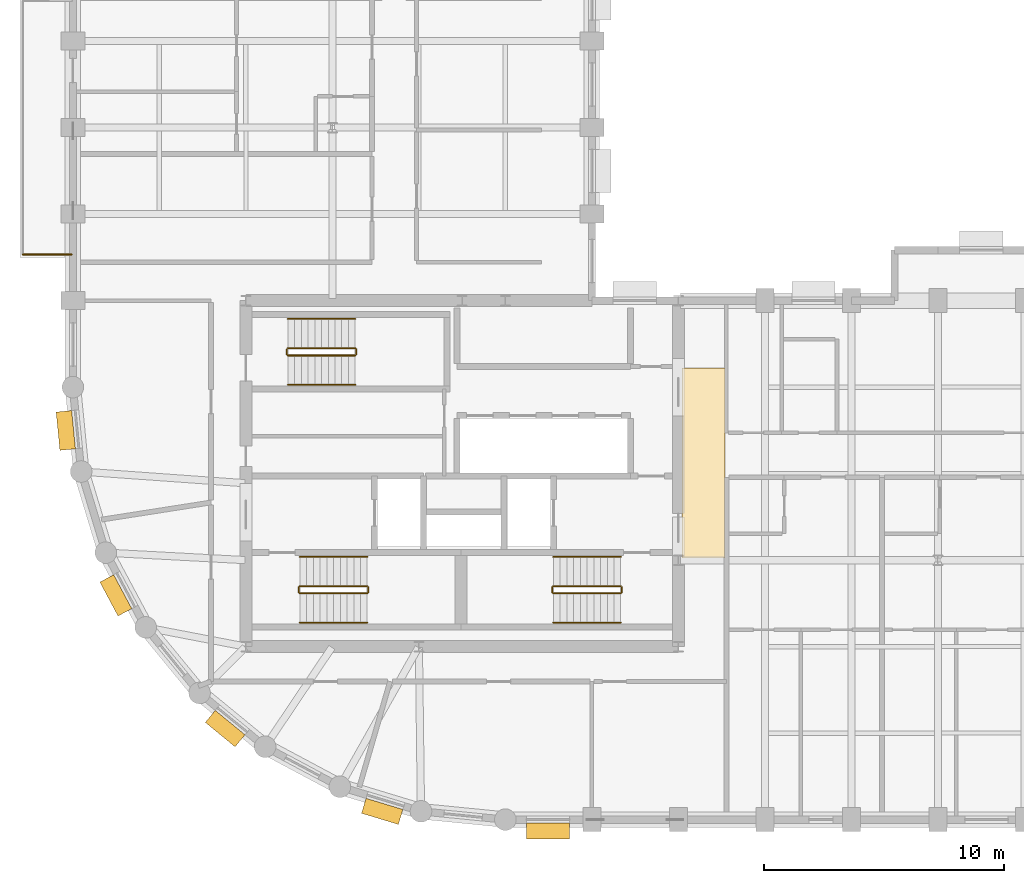
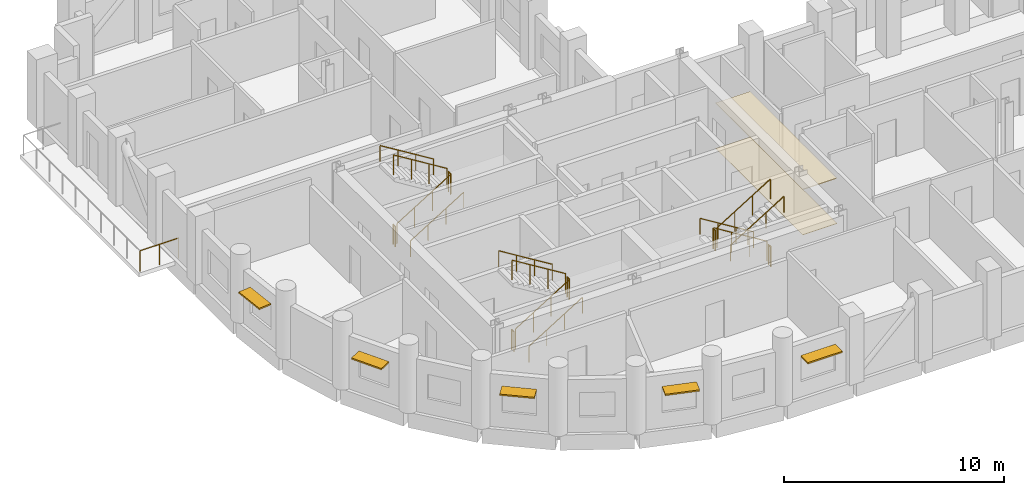
# One storey, part 9 of 10: 19 railings, 5 shading devices, 2 coverings.
"""IFC4 building model written with IfcOpenShell, lengths in metres."""

from ifc_helpers import new_model, si_unit, direction, frame, origin, origin_2d, place, context, subcontext, project, spatial, polyline, rectangle, circle, outline, extrude, material, layer, layer_set, type_object, element, save


model = new_model("IFC4")

# Units and contexts
model_context = context("Model", 3, precision=1e-05, world=origin(), true_north=direction((0.0, 1.0)))
body_context = subcontext(model_context, "Body", "Model", "MODEL_VIEW")
ifc_project = project(units=[si_unit("LENGTHUNIT", "METRE"), si_unit("AREAUNIT", "SQUARE_METRE"), si_unit("VOLUMEUNIT", "CUBIC_METRE"), si_unit("PLANEANGLEUNIT", "RADIAN"), si_unit("MASSUNIT", "GRAM", prefix="KILO")], contexts=[model_context])

# Site, building, storey
site_placement = place(None, origin())
site = spatial("IfcSite", under=ifc_project, at=site_placement, CompositionType="ELEMENT")
building_placement = place(site_placement, origin())
building = spatial("IfcBuilding", under=site, at=building_placement, Name="Solnavia Interchange Tower", CompositionType="ELEMENT")
storey_placement = place(building_placement, frame((0.0, 0.0, 150.39990234375)))
storey = spatial("IfcBuildingStorey", under=building, at=storey_placement, Name="L37", CompositionType="ELEMENT", Elevation=150.39990234375)

# Coverings
ifc_material_1 = material(Name="Perforated Mineral-Fibre & Gypsum Ceiling", Category="gypsum")
ifc_layer_1 = layer(ifc_material_1, 0.0400390625)
ifc_layer_set_1 = layer_set([ifc_layer_1], Name="Perforated Mineral-Fibre & Gypsum Ceiling")
covering_type_1 = type_object("IfcCoveringType", Name="Covering-Ceiling-Acoustic40", PredefinedType="CEILING", material=ifc_layer_set_1)
covering_1_placement = place(storey_placement, frame((0.0, 0.0, 2.5)))
element("IfcCovering", 1, at=covering_1_placement, inside=storey, type_object=covering_type_1, Name="CLG-L37-01 Circulation suspended acoustic ceiling", PredefinedType="CEILING", context=body_context, shape_type="SweptSolid", body=[
    extrude(outline(polyline([(32.550048828125, 14.5), (34.35009765625, 14.5), (34.35009765625, 22.39990234375), (32.550048828125, 22.39990234375), (32.550048828125, 14.5)])), origin(), (0.0, 0.0, 1.0), 0.0400390625),
])
ifc_material_2 = material(Name="Engineered European Oak Flooring", Category="wood")
ifc_layer_2 = layer(ifc_material_2, 0.02001953125)
ifc_layer_set_2 = layer_set([ifc_layer_2], Name="Engineered European Oak Flooring")
covering_type_2 = type_object("IfcCoveringType", Name="Covering-Flooring-Timber20", PredefinedType="FLOORING", material=ifc_layer_set_2)
covering_2_placement = place(storey_placement, origin())
element("IfcCovering", 2, at=covering_2_placement, inside=storey, type_object=covering_type_2, Name="FLR-L37-01 Circulation floor finish", PredefinedType="FLOORING", context=body_context, shape_type="SweptSolid", body=[
    extrude(outline(polyline([(32.550048828125, 14.5), (34.35009765625, 14.5), (34.35009765625, 22.39990234375), (32.550048828125, 22.39990234375), (32.550048828125, 14.5)])), origin(), (0.0, 0.0, 1.0), 0.02001953125),
])

# Railings
ifc_material_3 = material(Name="Painted Steel Balustrade", Category="steel")
railing_type_1 = type_object("IfcRailingType", Name="Railing-StairGuard-1100", PredefinedType="GUARDRAIL", material=ifc_material_3)
railing_1_placement = place(storey_placement, frame((16.64990234375, 13.02001953125, 0.1728515625)))
element("IfcRailing", 3, at=railing_1_placement, inside=storey, type_object=railing_type_1, Name="L37 ST-1 stair guard 1", PredefinedType="GUARDRAIL", context=body_context, shape_type="SweptSolid", body=[
    extrude(circle(Radius=0.02392578125, at=origin_2d()), frame((0.0, 0.0, 1.09619140625), z_axis=(0.851089632645, 0.0, 0.525020415988), x_axis=(0.0, 1.0, 0.0)), (0.0, 0.0, 1.0), 3.2900390625),
    extrude(circle(Radius=0.02099609375, at=origin_2d()), origin(), (0.0, 0.0, 1.0), 1.072021484375),
    extrude(circle(Radius=0.02099609375, at=origin_2d()), frame((0.933349609375, 0.0, 0.57568359375)), (0.0, 0.0, 1.0), 1.072021484375),
    extrude(circle(Radius=0.02099609375, at=origin_2d()), frame((1.86669921875, 0.0, 1.151611328125)), (0.0, 0.0, 1.0), 1.072021484375),
    extrude(circle(Radius=0.02099609375, at=origin_2d()), frame((2.800048828125, 0.0, 1.727294921875)), (0.0, 0.0, 1.0), 1.072021484375),
])
railing_2_placement = place(storey_placement, frame((19.5, 13.070068359375, 1.900146484375)))
element("IfcRailing", 4, at=railing_2_placement, inside=storey, type_object=railing_type_1, Name="L37 ST-1 stair guard 2", PredefinedType="GUARDRAIL", context=body_context, shape_type="SweptSolid", body=[
    extrude(circle(Radius=0.02392578125, at=origin_2d()), frame((0.0, 0.0, 1.09619140625), z_axis=(0.0, 1.0, 0.0), x_axis=(-1.0, 0.0, 0.0)), (0.0, 0.0, 1.0), 0.199951171875),
    extrude(circle(Radius=0.02099609375, at=origin_2d()), origin(), (0.0, 0.0, 1.0), 1.072021484375),
    extrude(circle(Radius=0.02099609375, at=origin_2d()), frame((0.0, 0.199951171875, 0.0)), (0.0, 0.0, 1.0), 1.072021484375),
])
railing_3_placement = place(storey_placement, frame((19.449951171875, 13.320068359375, 2.07275390625)))
element("IfcRailing", 5, at=railing_3_placement, inside=storey, type_object=railing_type_1, Name="L37 ST-1 stair guard 3", PredefinedType="GUARDRAIL", context=body_context, shape_type="SweptSolid", body=[
    extrude(circle(Radius=0.02392578125, at=origin_2d()), frame((0.0, 0.0, 1.09619140625), z_axis=(-0.851089632645, 0.0, 0.525020415988), x_axis=(0.0, -1.0, 0.0)), (0.0, 0.0, 1.0), 3.2900390625),
    extrude(circle(Radius=0.02099609375, at=origin_2d()), origin(), (0.0, 0.0, 1.0), 1.072021484375),
    extrude(circle(Radius=0.02099609375, at=origin_2d()), frame((-0.933349609375, 0.0, 0.57568359375)), (0.0, 0.0, 1.0), 1.072021484375),
    extrude(circle(Radius=0.02099609375, at=origin_2d()), frame((-1.86669921875, 0.0, 1.151611328125)), (0.0, 0.0, 1.0), 1.072021484375),
    extrude(circle(Radius=0.02099609375, at=origin_2d()), frame((-2.800048828125, 0.0, 1.727294921875)), (0.0, 0.0, 1.0), 1.072021484375),
])
railing_4_placement = place(storey_placement, frame((16.60009765625, 13.070068359375, 0.0)))
element("IfcRailing", 6, at=railing_4_placement, inside=storey, type_object=railing_type_1, Name="L37 ST-1 stair guard 4", PredefinedType="GUARDRAIL", context=body_context, shape_type="SweptSolid", body=[
    extrude(circle(Radius=0.02392578125, at=origin_2d()), frame((0.0, 0.0, 1.09619140625), z_axis=(0.0, 1.0, 0.0), x_axis=(-1.0, 0.0, 0.0)), (0.0, 0.0, 1.0), 0.199951171875),
    extrude(circle(Radius=0.02099609375, at=origin_2d()), origin(), (0.0, 0.0, 1.0), 1.072021484375),
    extrude(circle(Radius=0.02099609375, at=origin_2d()), frame((0.0, 0.199951171875, 0.0)), (0.0, 0.0, 1.0), 1.072021484375),
])
railing_5_placement = place(storey_placement, frame((30.0, 13.320068359375, 0.1728515625)))
element("IfcRailing", 7, at=railing_5_placement, inside=storey, type_object=railing_type_1, Name="L37 ST-2 stair guard 1", PredefinedType="GUARDRAIL", context=body_context, shape_type="SweptSolid", body=[
    extrude(circle(Radius=0.02392578125, at=origin_2d()), frame((0.0, 0.0, 1.09619140625), z_axis=(-0.851089632645, 0.0, 0.525020415988), x_axis=(0.0, -1.0, 0.0)), (0.0, 0.0, 1.0), 3.2900390625),
    extrude(circle(Radius=0.02099609375, at=origin_2d()), origin(), (0.0, 0.0, 1.0), 1.072021484375),
    extrude(circle(Radius=0.02099609375, at=origin_2d()), frame((-0.933349609375, 0.0, 0.57568359375)), (0.0, 0.0, 1.0), 1.072021484375),
    extrude(circle(Radius=0.02099609375, at=origin_2d()), frame((-1.86669921875, 0.0, 1.151611328125)), (0.0, 0.0, 1.0), 1.072021484375),
    extrude(circle(Radius=0.02099609375, at=origin_2d()), frame((-2.800048828125, 0.0, 1.727294921875)), (0.0, 0.0, 1.0), 1.072021484375),
])
railing_6_placement = place(storey_placement, frame((27.14990234375, 13.27001953125, 1.900146484375)))
element("IfcRailing", 8, at=railing_6_placement, inside=storey, type_object=railing_type_1, Name="L37 ST-2 stair guard 2", PredefinedType="GUARDRAIL", context=body_context, shape_type="SweptSolid", body=[
    extrude(circle(Radius=0.02392578125, at=origin_2d()), frame((0.0, 0.0, 1.09619140625), z_axis=(0.0, -1.0, 0.0), x_axis=(1.0, 0.0, 0.0)), (0.0, 0.0, 1.0), 0.199951171875),
    extrude(circle(Radius=0.02099609375, at=origin_2d()), origin(), (0.0, 0.0, 1.0), 1.072021484375),
    extrude(circle(Radius=0.02099609375, at=origin_2d()), frame((0.0, -0.199951171875, 0.0)), (0.0, 0.0, 1.0), 1.072021484375),
])
railing_7_placement = place(storey_placement, frame((27.199951171875, 13.02001953125, 2.07275390625)))
element("IfcRailing", 9, at=railing_7_placement, inside=storey, type_object=railing_type_1, Name="L37 ST-2 stair guard 3", PredefinedType="GUARDRAIL", context=body_context, shape_type="SweptSolid", body=[
    extrude(circle(Radius=0.02392578125, at=origin_2d()), frame((0.0, 0.0, 1.09619140625), z_axis=(0.851089632645, 0.0, 0.525020415988), x_axis=(0.0, 1.0, 0.0)), (0.0, 0.0, 1.0), 3.2900390625),
    extrude(circle(Radius=0.02099609375, at=origin_2d()), origin(), (0.0, 0.0, 1.0), 1.072021484375),
    extrude(circle(Radius=0.02099609375, at=origin_2d()), frame((0.933349609375, 0.0, 0.57568359375)), (0.0, 0.0, 1.0), 1.072021484375),
    extrude(circle(Radius=0.02099609375, at=origin_2d()), frame((1.86669921875, 0.0, 1.151611328125)), (0.0, 0.0, 1.0), 1.072021484375),
    extrude(circle(Radius=0.02099609375, at=origin_2d()), frame((2.800048828125, 0.0, 1.727294921875)), (0.0, 0.0, 1.0), 1.072021484375),
])
railing_8_placement = place(storey_placement, frame((30.050048828125, 13.27001953125, 0.0)))
element("IfcRailing", 10, at=railing_8_placement, inside=storey, type_object=railing_type_1, Name="L37 ST-2 stair guard 4", PredefinedType="GUARDRAIL", context=body_context, shape_type="SweptSolid", body=[
    extrude(circle(Radius=0.02392578125, at=origin_2d()), frame((0.0, 0.0, 1.09619140625), z_axis=(0.0, -1.0, 0.0), x_axis=(1.0, 0.0, 0.0)), (0.0, 0.0, 1.0), 0.199951171875),
    extrude(circle(Radius=0.02099609375, at=origin_2d()), origin(), (0.0, 0.0, 1.0), 1.072021484375),
    extrude(circle(Radius=0.02099609375, at=origin_2d()), frame((0.0, -0.199951171875, 0.0)), (0.0, 0.0, 1.0), 1.072021484375),
])
railing_9_placement = place(storey_placement, frame((16.14990234375, 22.919921875, 0.1728515625)))
element("IfcRailing", 11, at=railing_9_placement, inside=storey, type_object=railing_type_1, Name="L37 ST-3 stair guard 1", PredefinedType="GUARDRAIL", context=body_context, shape_type="SweptSolid", body=[
    extrude(circle(Radius=0.02392578125, at=origin_2d()), frame((0.0, 0.0, 1.09619140625), z_axis=(0.851089632645, 0.0, 0.525020415988), x_axis=(0.0, 1.0, 0.0)), (0.0, 0.0, 1.0), 3.2900390625),
    extrude(circle(Radius=0.02099609375, at=origin_2d()), origin(), (0.0, 0.0, 1.0), 1.072021484375),
    extrude(circle(Radius=0.02099609375, at=origin_2d()), frame((0.933349609375, 0.0, 0.57568359375)), (0.0, 0.0, 1.0), 1.072021484375),
    extrude(circle(Radius=0.02099609375, at=origin_2d()), frame((1.86669921875, 0.0, 1.151611328125)), (0.0, 0.0, 1.0), 1.072021484375),
    extrude(circle(Radius=0.02099609375, at=origin_2d()), frame((2.800048828125, 0.0, 1.727294921875)), (0.0, 0.0, 1.0), 1.072021484375),
])
railing_10_placement = place(storey_placement, frame((19.0, 22.969970703125, 1.900146484375)))
element("IfcRailing", 12, at=railing_10_placement, inside=storey, type_object=railing_type_1, Name="L37 ST-3 stair guard 2", PredefinedType="GUARDRAIL", context=body_context, shape_type="SweptSolid", body=[
    extrude(circle(Radius=0.02392578125, at=origin_2d()), frame((0.0, 0.0, 1.09619140625), z_axis=(0.0, 1.0, 0.0), x_axis=(-1.0, 0.0, 0.0)), (0.0, 0.0, 1.0), 0.199951171875),
    extrude(circle(Radius=0.02099609375, at=origin_2d()), origin(), (0.0, 0.0, 1.0), 1.072021484375),
    extrude(circle(Radius=0.02099609375, at=origin_2d()), frame((0.0, 0.199951171875, 0.0)), (0.0, 0.0, 1.0), 1.072021484375),
])
railing_11_placement = place(storey_placement, frame((18.949951171875, 23.219970703125, 2.07275390625)))
element("IfcRailing", 13, at=railing_11_placement, inside=storey, type_object=railing_type_1, Name="L37 ST-3 stair guard 3", PredefinedType="GUARDRAIL", context=body_context, shape_type="SweptSolid", body=[
    extrude(circle(Radius=0.02392578125, at=origin_2d()), frame((0.0, 0.0, 1.09619140625), z_axis=(-0.851089632645, 0.0, 0.525020415988), x_axis=(0.0, -1.0, 0.0)), (0.0, 0.0, 1.0), 3.2900390625),
    extrude(circle(Radius=0.02099609375, at=origin_2d()), origin(), (0.0, 0.0, 1.0), 1.072021484375),
    extrude(circle(Radius=0.02099609375, at=origin_2d()), frame((-0.933349609375, 0.0, 0.57568359375)), (0.0, 0.0, 1.0), 1.072021484375),
    extrude(circle(Radius=0.02099609375, at=origin_2d()), frame((-1.86669921875, 0.0, 1.151611328125)), (0.0, 0.0, 1.0), 1.072021484375),
    extrude(circle(Radius=0.02099609375, at=origin_2d()), frame((-2.800048828125, 0.0, 1.727294921875)), (0.0, 0.0, 1.0), 1.072021484375),
])
railing_12_placement = place(storey_placement, frame((16.10009765625, 22.969970703125, 0.0)))
element("IfcRailing", 14, at=railing_12_placement, inside=storey, type_object=railing_type_1, Name="L37 ST-3 stair guard 4", PredefinedType="GUARDRAIL", context=body_context, shape_type="SweptSolid", body=[
    extrude(circle(Radius=0.02392578125, at=origin_2d()), frame((0.0, 0.0, 1.09619140625), z_axis=(0.0, 1.0, 0.0), x_axis=(-1.0, 0.0, 0.0)), (0.0, 0.0, 1.0), 0.199951171875),
    extrude(circle(Radius=0.02099609375, at=origin_2d()), origin(), (0.0, 0.0, 1.0), 1.072021484375),
    extrude(circle(Radius=0.02099609375, at=origin_2d()), frame((0.0, 0.199951171875, 0.0)), (0.0, 0.0, 1.0), 1.072021484375),
])
ifc_material_4 = material(Name="Brushed Stainless Steel", Category="steel")
railing_type_2 = type_object("IfcRailingType", Name="Railing-StairHandrail-900", PredefinedType="HANDRAIL", material=ifc_material_4)
railing_13_placement = place(storey_placement, frame((16.64990234375, 11.800048828125, 0.1728515625)))
element("IfcRailing", 15, at=railing_13_placement, inside=storey, type_object=railing_type_2, Name="L37 ST-1 stair handrail 1", PredefinedType="HANDRAIL", context=body_context, shape_type="SweptSolid", body=[
    extrude(circle(Radius=0.02392578125, at=origin_2d()), frame((0.0, 0.0, 0.8759765625), z_axis=(0.851089632645, 0.0, 0.525020415988), x_axis=(0.0, 1.0, 0.0)), (0.0, 0.0, 1.0), 3.2900390625),
    extrude(circle(Radius=0.02099609375, at=origin_2d()), origin(), (0.0, 0.0, 1.0), 0.851806640625),
    extrude(circle(Radius=0.02099609375, at=origin_2d()), frame((0.933349609375, 0.0, 0.57568359375)), (0.0, 0.0, 1.0), 0.851806640625),
    extrude(circle(Radius=0.02099609375, at=origin_2d()), frame((1.86669921875, 0.0, 1.151611328125)), (0.0, 0.0, 1.0), 0.851806640625),
    extrude(circle(Radius=0.02099609375, at=origin_2d()), frame((2.800048828125, 0.0, 1.727294921875)), (0.0, 0.0, 1.0), 0.851806640625),
])
for number, where, name in (
    (16, (19.449951171875, 14.5400390625, 2.07275390625), "L37 ST-1 stair handrail 2"),
    (17, (30.0, 14.5400390625, 0.1728515625), "L37 ST-2 stair handrail 1"),
):
    element("IfcRailing", number, at=place(storey_placement, frame(where)), inside=storey, type_object=railing_type_2, Name=name, PredefinedType="HANDRAIL", context=body_context, shape_type="SweptSolid", body=[
        extrude(circle(Radius=0.02392578125, at=origin_2d()), frame((0.0, 0.0, 0.8759765625), z_axis=(-0.851089632645, 0.0, 0.525020415988), x_axis=(0.0, -1.0, 0.0)), (0.0, 0.0, 1.0), 3.2900390625),
        extrude(circle(Radius=0.02099609375, at=origin_2d()), origin(), (0.0, 0.0, 1.0), 0.851806640625),
        extrude(circle(Radius=0.02099609375, at=origin_2d()), frame((-0.933349609375, 0.0, 0.57568359375)), (0.0, 0.0, 1.0), 0.851806640625),
        extrude(circle(Radius=0.02099609375, at=origin_2d()), frame((-1.86669921875, 0.0, 1.151611328125)), (0.0, 0.0, 1.0), 0.851806640625),
        extrude(circle(Radius=0.02099609375, at=origin_2d()), frame((-2.800048828125, 0.0, 1.727294921875)), (0.0, 0.0, 1.0), 0.851806640625),
    ])
for number, where, name in (
    (18, (27.199951171875, 11.800048828125, 2.07275390625), "L37 ST-2 stair handrail 2"),
    (19, (16.14990234375, 21.699951171875, 0.1728515625), "L37 ST-3 stair handrail 1"),
):
    element("IfcRailing", number, at=place(storey_placement, frame(where)), inside=storey, type_object=railing_type_2, Name=name, PredefinedType="HANDRAIL", context=body_context, shape_type="SweptSolid", body=[
        extrude(circle(Radius=0.02392578125, at=origin_2d()), frame((0.0, 0.0, 0.8759765625), z_axis=(0.851089632645, 0.0, 0.525020415988), x_axis=(0.0, 1.0, 0.0)), (0.0, 0.0, 1.0), 3.2900390625),
        extrude(circle(Radius=0.02099609375, at=origin_2d()), origin(), (0.0, 0.0, 1.0), 0.851806640625),
        extrude(circle(Radius=0.02099609375, at=origin_2d()), frame((0.933349609375, 0.0, 0.57568359375)), (0.0, 0.0, 1.0), 0.851806640625),
        extrude(circle(Radius=0.02099609375, at=origin_2d()), frame((1.86669921875, 0.0, 1.151611328125)), (0.0, 0.0, 1.0), 0.851806640625),
        extrude(circle(Radius=0.02099609375, at=origin_2d()), frame((2.800048828125, 0.0, 1.727294921875)), (0.0, 0.0, 1.0), 0.851806640625),
    ])
railing_14_placement = place(storey_placement, frame((18.949951171875, 24.43994140625, 2.07275390625)))
element("IfcRailing", 20, at=railing_14_placement, inside=storey, type_object=railing_type_2, Name="L37 ST-3 stair handrail 2", PredefinedType="HANDRAIL", context=body_context, shape_type="SweptSolid", body=[
    extrude(circle(Radius=0.02392578125, at=origin_2d()), frame((0.0, 0.0, 0.8759765625), z_axis=(-0.851089632645, 0.0, 0.525020415988), x_axis=(0.0, -1.0, 0.0)), (0.0, 0.0, 1.0), 3.2900390625),
    extrude(circle(Radius=0.02099609375, at=origin_2d()), origin(), (0.0, 0.0, 1.0), 0.851806640625),
    extrude(circle(Radius=0.02099609375, at=origin_2d()), frame((-0.933349609375, 0.0, 0.57568359375)), (0.0, 0.0, 1.0), 0.851806640625),
    extrude(circle(Radius=0.02099609375, at=origin_2d()), frame((-1.86669921875, 0.0, 1.151611328125)), (0.0, 0.0, 1.0), 0.851806640625),
    extrude(circle(Radius=0.02099609375, at=origin_2d()), frame((-2.800048828125, 0.0, 1.727294921875)), (0.0, 0.0, 1.0), 0.851806640625),
])
ifc_material_5 = material(Name="Laminated Safety Glass & Stainless Steel", Category="steel")
railing_type_3 = type_object("IfcRailingType", Name="Railing-TerraceGuard-1150", PredefinedType="GUARDRAIL", material=ifc_material_5)
railing_15_placement = place(storey_placement, frame((7.14990234375, 27.1201171875, -0.039794921875)))
element("IfcRailing", 21, at=railing_15_placement, inside=storey, type_object=railing_type_3, Name="GRD-L37-TER-01 Perimeter terrace guardrail", PredefinedType="GUARDRAIL", context=body_context, shape_type="SweptSolid", body=[
    extrude(circle(Radius=0.02392578125, at=origin_2d()), frame((0.0, 0.0, 1.1259765625), z_axis=(-1.0, 0.0, 0.0), x_axis=(0.0, -1.0, 0.0)), (0.0, 0.0, 1.0), 2.02978515625),
    extrude(circle(Radius=0.02099609375, at=origin_2d()), origin(), (0.0, 0.0, 1.0), 1.101806640625),
    extrude(circle(Radius=0.02099609375, at=origin_2d()), frame((-1.014892578125, 0.0, 0.0)), (0.0, 0.0, 1.0), 1.101806640625),
    extrude(circle(Radius=0.02099609375, at=origin_2d()), frame((-2.02978515625, 0.0, 0.0)), (0.0, 0.0, 1.0), 1.101806640625),
])

# Shading devices
ifc_material_6 = material(Name="Anodised Aluminium Sunshade", Category="aluminium")
ifc_layer_3 = layer(ifc_material_6, 0.080078125)
ifc_layer_set_3 = layer_set([ifc_layer_3], Name="Anodised Aluminium Sunshade")
shading_device_type = type_object("IfcShadingDeviceType", Name="Sunshade-Band-650", PredefinedType="SHUTTER", material=ifc_layer_set_3)
shading_device_placement = place(storey_placement, frame((26.97509765625, 3.1298828125, 2.219970703125), z_axis=(0.0, 0.0, 1.0), x_axis=(-1.0, 0.0, 0.0)))
element("IfcShadingDevice", 22, at=shading_device_placement, inside=storey, type_object=shading_device_type, Name="SHD-L37-01 Horizontal sunshade band", PredefinedType="SHUTTER", context=body_context, shape_type="SweptSolid", body=[
    extrude(rectangle(XDim=1.800048828125, YDim=0.64990234375, at=origin_2d()), origin(), (0.0, 0.0, 1.0), 0.080078125),
])
for number, where, z_axis, x_axis, name in (
    (23, (6.9052734375, 19.79833984375, 2.219970703125), (0.0, 0.0, 1.0), (-0.098103986207, 0.995176169274, 0.0), "SHD-L37-51 Horizontal sunshade band"),
    (24, (8.98779296875, 12.93408203125, 2.219970703125), (0.0, 0.0, 1.0), (-0.47147369718, 0.881880123865, 0.0), "SHD-L37-53 Horizontal sunshade band"),
    (25, (13.5380859375, 7.389404296875, 2.219970703125), (0.0, 0.0, 1.0), (-0.773176510644, 0.634190888762, 0.0), "SHD-L37-55 Horizontal sunshade band"),
    (26, (20.07421875, 3.9443359375, 2.219970703125), (0.0, 0.0, 1.0), (-0.956965664205, 0.290201167351, 0.0), "SHD-L37-57 Horizontal sunshade band"),
):
    element("IfcShadingDevice", number, at=place(storey_placement, frame(where, z_axis=z_axis, x_axis=x_axis)), inside=storey, type_object=shading_device_type, Name=name, PredefinedType="SHUTTER", context=body_context, shape_type="SweptSolid", body=[
        extrude(rectangle(XDim=1.60009765625, YDim=0.64990234375, at=origin_2d()), origin(), (0.0, 0.0, 1.0), 0.080078125),
    ])

save(model, "model.ifc")
